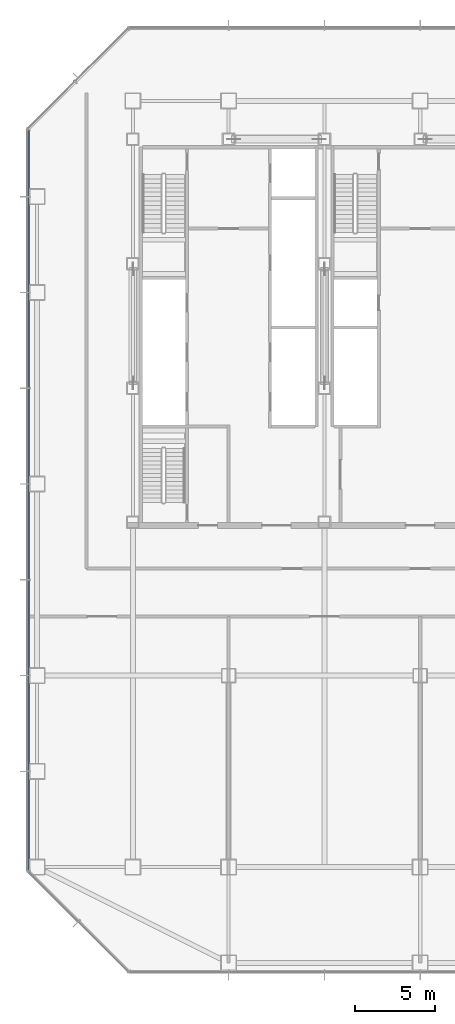
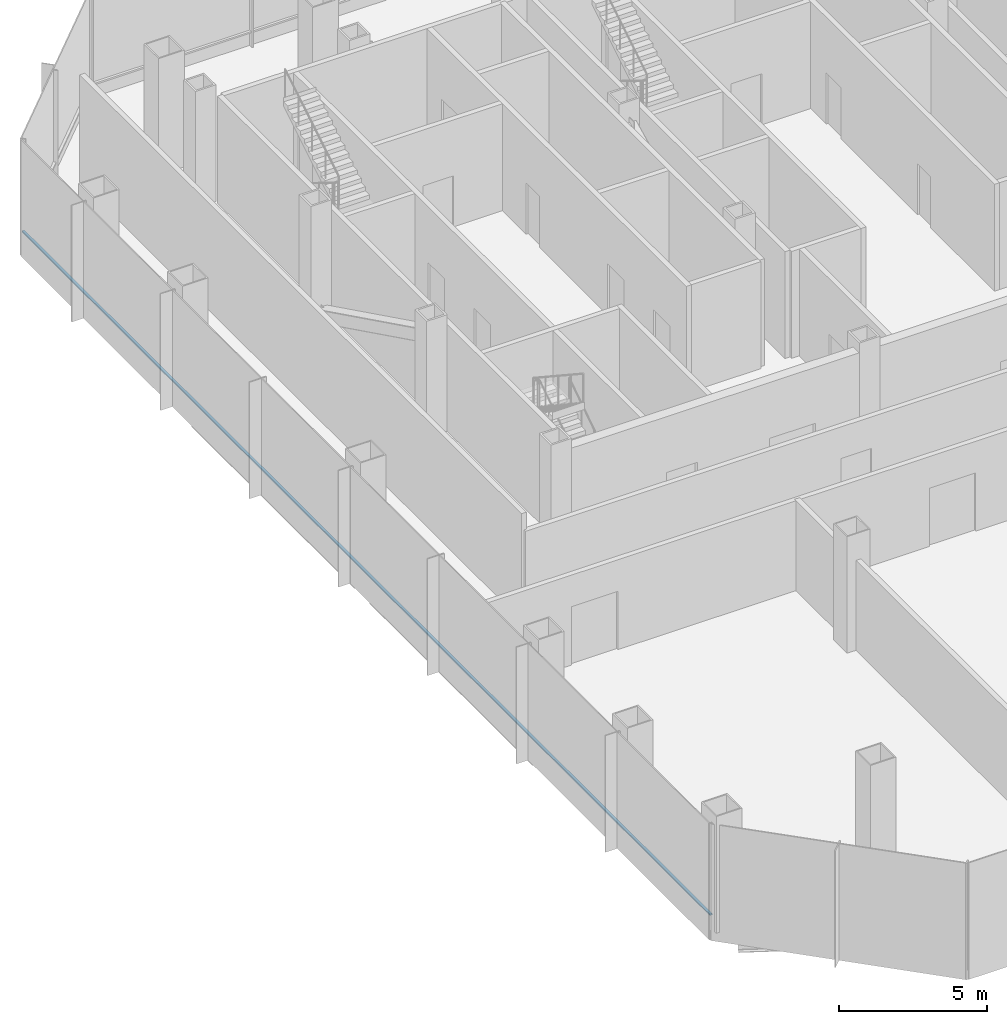
# One storey, part 5 of 33: 1 member, 1 element without a shape of its own.
"""IFC4 building model written with IfcOpenShell, lengths in metres."""

from ifc_helpers import new_model, si_unit, direction, frame, origin, origin_2d, place, context, subcontext, project, spatial, rectangle, extrude, material, material_profile, profile_set, type_object, element, aggregate, save


model = new_model("IFC4")

# Units and contexts
model_context = context("Model", 3, precision=1e-05, world=origin(), true_north=direction((0.0, 1.0)))
body_context = subcontext(model_context, "Body", "Model", "MODEL_VIEW")
ifc_project = project(units=[si_unit("LENGTHUNIT", "METRE"), si_unit("AREAUNIT", "SQUARE_METRE"), si_unit("VOLUMEUNIT", "CUBIC_METRE"), si_unit("PLANEANGLEUNIT", "RADIAN"), si_unit("MASSUNIT", "GRAM", prefix="KILO")], contexts=[model_context])

# Site, building, storey
site_placement = place(None, origin())
site = spatial("IfcSite", under=ifc_project, at=site_placement, CompositionType="ELEMENT")
building_placement = place(site_placement, origin())
building = spatial("IfcBuilding", under=site, at=building_placement, Name="Sorahane Residences", CompositionType="ELEMENT")
storey_placement = place(building_placement, frame((0.0, 0.0, 25.199951171875)))
storey = spatial("IfcBuildingStorey", under=building, at=storey_placement, Name="L03", CompositionType="ELEMENT", Elevation=25.199951171875)

# Curtain wall, member
ifc_material_1 = material(Name="Dark low-e glass and black anodised aluminium", Category="aluminium")
curtain_wall_type = type_object("IfcCurtainWallType", Name="Curtain wall CW-3 Podium unitised wall", PredefinedType="NOTDEFINED", material=ifc_material_1)
curtain_wall_placement = place(storey_placement, origin())
curtain_wall = element("IfcCurtainWall", 1, at=curtain_wall_placement, inside=storey, type_object=curtain_wall_type, Name="CW-3 curtain wall L03 W1", PredefinedType="NOTDEFINED")
ifc_material_2 = material(Name="Black anodised aluminium", Category="aluminium")
ifc_material_profile = material_profile(ifc_material_2, rectangle(XDim=0.10009765625, YDim=0.06005859375, at=origin_2d()), Name="Curtain wall transom CW-3 black anodised aluminium 60x100")
ifc_profile_set = profile_set([ifc_material_profile], Name="Black anodised aluminium")
member_type = type_object("IfcMemberType", Name="Curtain wall transom CW-3 black anodised aluminium 60x100", PredefinedType="USERDEFINED", material=ifc_profile_set)
member_placement = place(storey_placement, frame((-0.530029296875, 46.198486328125, 0.60009765625), z_axis=(0.0, -1.0, 0.0), x_axis=(1.0, 0.0, 0.0)))
member = element("IfcMember", 2, at=member_placement, type_object=member_type, Name="CW-3 transom L03 W1", ObjectType="TRANSOM", PredefinedType="USERDEFINED", context=body_context, shape_type="SweptSolid", body=[
    extrude(rectangle(XDim=0.10009765625, YDim=0.06005859375, at=origin_2d()), origin(), (0.0, 0.0, 1.0), 46.39697265625),
])
aggregate(curtain_wall, [member])

save(model, "model.ifc")
